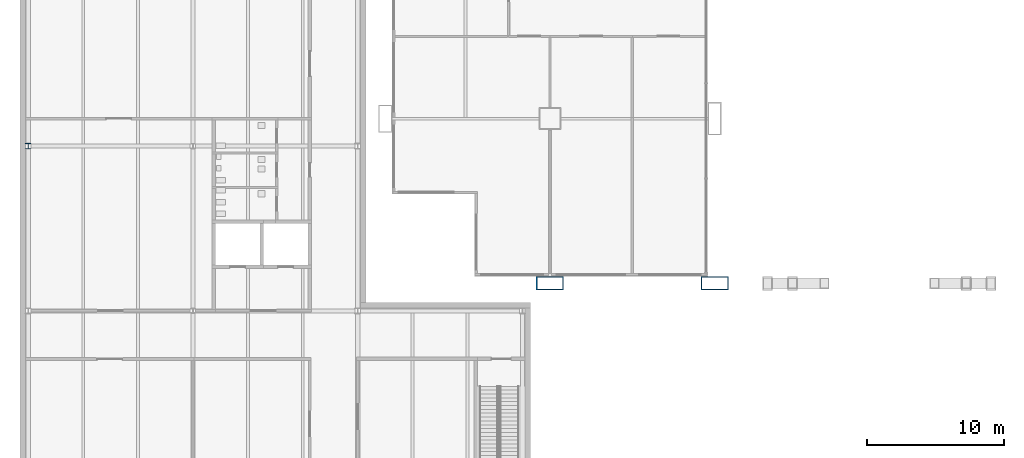
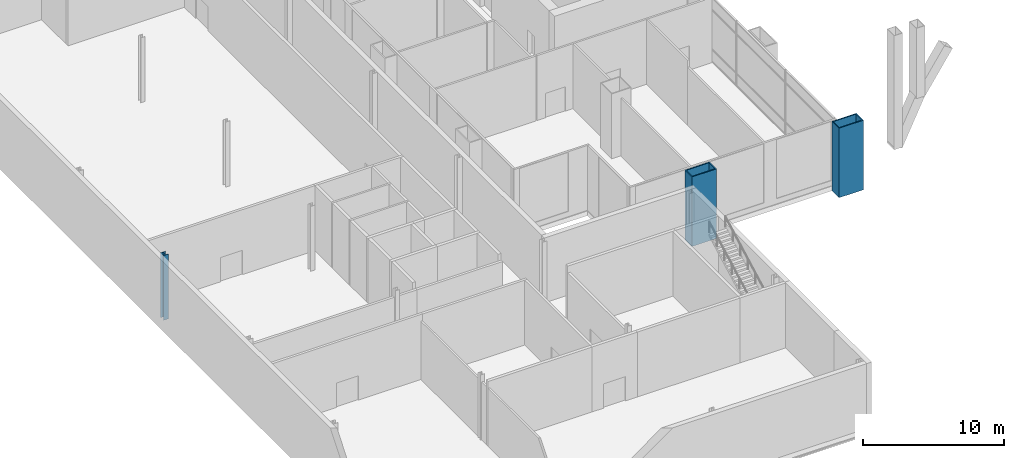
# One storey, part 2 of 25: 3 columns.
"""IFC4 building model written with IfcOpenShell, lengths in metres."""

from ifc_helpers import new_model, si_unit, direction, frame, origin, origin_2d, place, context, subcontext, project, spatial, hollow_rectangle, i_section, extrude, material, material_profile, profile_set, type_object, element, save


model = new_model("IFC4")

# Units and contexts
model_context = context("Model", 3, precision=1e-05, world=origin(), true_north=direction((0.0, 1.0)))
body_context = subcontext(model_context, "Body", "Model", "MODEL_VIEW")
ifc_project = project(units=[si_unit("LENGTHUNIT", "METRE"), si_unit("AREAUNIT", "SQUARE_METRE"), si_unit("VOLUMEUNIT", "CUBIC_METRE"), si_unit("PLANEANGLEUNIT", "RADIAN"), si_unit("MASSUNIT", "GRAM", prefix="KILO")], contexts=[model_context])

# Site, building, storey
site_placement = place(None, origin())
site = spatial("IfcSite", under=ifc_project, at=site_placement, CompositionType="ELEMENT")
building_placement = place(site_placement, origin())
building = spatial("IfcBuilding", under=site, at=building_placement, Name="Kitamizu Gate Tower and Museum", CompositionType="ELEMENT")
storey_placement = place(building_placement, frame((0.0, 0.0, 12.0)))
storey = spatial("IfcBuildingStorey", under=building, at=storey_placement, Name="L02", CompositionType="ELEMENT", Elevation=12.0)

# Columns
ifc_material_1 = material(Name="Steel SS400", Category="steel")
ifc_material_profile_1 = material_profile(ifc_material_1, i_section(OverallWidth=0.39990234375, OverallDepth=0.39990234375, WebThickness=0.012939453125, FlangeThickness=0.02099609375, FilletRadius=0.02197265625, at=origin_2d()), Name="H-400x400x13x21")
ifc_profile_set_1 = profile_set([ifc_material_profile_1], Name="Steel SS400")
column_type_1 = type_object("IfcColumnType", Name="Museum perimeter column H 400x400x13x21", PredefinedType="COLUMN", material=ifc_profile_set_1)
column_placement = place(storey_placement, frame((-26.0, 10.0, 0.0), z_axis=(0.0, 0.0, 1.0), x_axis=(1.0, 0.0, 0.0)))
element("IfcColumn", 1, at=column_placement, inside=storey, type_object=column_type_1, Name="Column M1MD", PredefinedType="COLUMN", context=body_context, shape_type="SweptSolid", body=[
    extrude(i_section(OverallWidth=0.39990234375, OverallDepth=0.39990234375, WebThickness=0.012939453125, FlangeThickness=0.02099609375, FilletRadius=0.02197265625, at=origin_2d()), origin(), (0.0, 0.0, 1.0), 5.60009765625),
])
ifc_material_2 = material(Name="Steel SM490A bronze coated", Category="steel")
ifc_material_profile_2 = material_profile(ifc_material_2, hollow_rectangle(XDim=2.0, YDim=1.0, WallThickness=0.080078125, at=origin_2d()), Name="BOX 2000x1000x80")
ifc_profile_set_2 = profile_set([ifc_material_profile_2], Name="Steel SM490A bronze coated")
column_type_2 = type_object("IfcColumnType", Name="Podium leg column LC1 BOX 2000x1000x80", PredefinedType="COLUMN", material=ifc_profile_set_2)
for number, where, z_axis, x_axis, name in (
    (2, (12.0, 0.0, -0.39990234375), (0.0, 0.0, 1.0), (1.0, 0.0, 0.0), "Column LC1 2A L02"),
    (3, (24.0, 0.0, -0.39990234375), (0.0, 0.0, 1.0), (1.0, 0.0, 0.0), "Column LC1 3A L02"),
):
    element("IfcColumn", number, at=place(storey_placement, frame(where, z_axis=z_axis, x_axis=x_axis)), inside=storey, type_object=column_type_2, Name=name, PredefinedType="COLUMN", context=body_context, shape_type="SweptSolid", body=[
        extrude(hollow_rectangle(XDim=2.0, YDim=1.0, WallThickness=0.080078125, at=origin_2d()), origin(), (0.0, 0.0, 1.0), 6.0),
    ])

save(model, "model.ifc")
